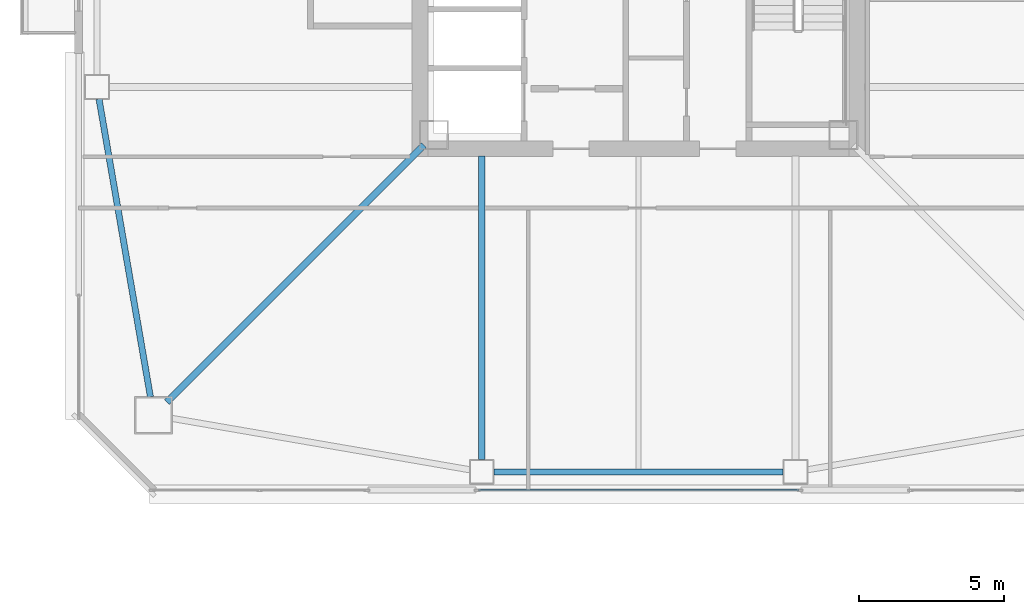
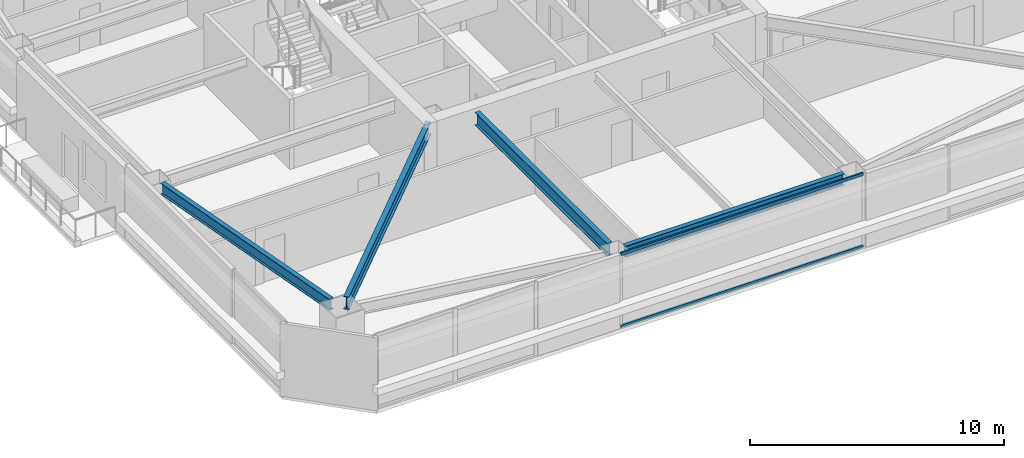
# One storey, part 4 of 46: 4 beams, 2 members, 1 element without a shape of its own.
"""IFC4 building model written with IfcOpenShell, lengths in metres."""

from ifc_helpers import new_model, si_unit, direction, frame, origin, origin_2d, place, context, subcontext, project, spatial, hollow_rectangle, i_section, extrude, material, material_profile, profile_set, type_object, element, aggregate, save


model = new_model("IFC4")

# Units and contexts
model_context = context("Model", 3, precision=1e-05, world=origin(), true_north=direction((0.0, 1.0)))
body_context = subcontext(model_context, "Body", "Model", "MODEL_VIEW")
ifc_project = project(units=[si_unit("LENGTHUNIT", "METRE"), si_unit("AREAUNIT", "SQUARE_METRE"), si_unit("VOLUMEUNIT", "CUBIC_METRE"), si_unit("PLANEANGLEUNIT", "RADIAN"), si_unit("MASSUNIT", "GRAM", prefix="KILO")], contexts=[model_context])

# Site, building, storey
site_placement = place(None, origin())
site = spatial("IfcSite", under=ifc_project, at=site_placement, CompositionType="ELEMENT")
building_placement = place(site_placement, origin())
building = spatial("IfcBuilding", under=site, at=building_placement, Name="Tashvorn Skyway Center", CompositionType="ELEMENT")
storey_placement = place(building_placement, frame((0.0, 0.0, 132.14990234375)))
storey = spatial("IfcBuildingStorey", under=building, at=storey_placement, Name="L35", CompositionType="ELEMENT", Elevation=132.14990234375)

# Beams
ifc_material_1 = material(Name="Steel ASTM A992 Grade 50", Category="steel")
ifc_material_profile_1 = material_profile(ifc_material_1, i_section(OverallWidth=0.22998046875, OverallDepth=0.616943359375, WebThickness=0.01318359375, FlangeThickness=0.022216796875, at=origin_2d()), Name="W24X94")
ifc_profile_set_1 = profile_set([ifc_material_profile_1], Name="Steel ASTM A992 Grade 50")
beam_type_1 = type_object("IfcBeamType", Name="BM-BEAM-W24X94", PredefinedType="BEAM", material=ifc_profile_set_1)
beam_1_placement = place(storey_placement, frame((25.756103515625, 15.756103515625, 3.0615234375), z_axis=(0.707106781187, 0.707106781187, 0.0), x_axis=(-0.707106781187, 0.707106781187, 0.0)))
element("IfcBeam", 1, at=beam_1_placement, inside=storey, type_object=beam_type_1, Name="Tower 1 L35 Primary Floor Girder MC-SW", PredefinedType="BEAM", context=body_context, shape_type="SweptSolid", body=[
    extrude(i_section(OverallWidth=0.22998046875, OverallDepth=0.616943359375, WebThickness=0.01318359375, FlangeThickness=0.022216796875, at=origin_2d()), origin(), (0.0, 0.0, 1.0), 12.50732421875),
])
beam_2_placement = place(storey_placement, frame((36.60009765625, 13.77001953125, 3.0615234375), z_axis=(0.0, 1.0, 0.0), x_axis=(-1.0, 0.0, 0.0)))
element("IfcBeam", 2, at=beam_2_placement, inside=storey, type_object=beam_type_1, Name="Tower 1 L35 Primary Floor Girder FC-S1", PredefinedType="BEAM", context=body_context, shape_type="SweptSolid", body=[
    extrude(i_section(OverallWidth=0.22998046875, OverallDepth=0.616943359375, WebThickness=0.01318359375, FlangeThickness=0.022216796875, at=origin_2d()), origin(), (0.0, 0.0, 1.0), 10.449951171875),
])
ifc_material_profile_2 = material_profile(ifc_material_1, i_section(OverallWidth=0.2109375, OverallDepth=0.5390625, WebThickness=0.01171875, FlangeThickness=0.018798828125, at=origin_2d()), Name="W21X73")
ifc_profile_set_2 = profile_set([ifc_material_profile_2], Name="Steel ASTM A992 Grade 50")
beam_type_2 = type_object("IfcBeamType", Name="BM-SPANDREL-W21X73", PredefinedType="SPANDREL", material=ifc_profile_set_2)
beam_3_placement = place(storey_placement, frame((37.02001953125, 13.35009765625, 3.1005859375), z_axis=(1.0, 0.0, 0.0), x_axis=(0.0, 1.0, 0.0)))
element("IfcBeam", 3, at=beam_3_placement, inside=storey, type_object=beam_type_2, Name="Tower 1 L35 Spandrel Beam 02", PredefinedType="SPANDREL", context=body_context, shape_type="SweptSolid", body=[
    extrude(i_section(OverallWidth=0.2109375, OverallDepth=0.5390625, WebThickness=0.01171875, FlangeThickness=0.018798828125, at=origin_2d()), origin(), (0.0, 0.0, 1.0), 9.9599609375),
])
beam_4_placement = place(storey_placement, frame((23.42138671875, 26.18603515625, 3.1005859375), z_axis=(0.170067250846, -0.985432458462, 0.0), x_axis=(0.985432458462, 0.170067250846, 0.0)))
element("IfcBeam", 4, at=beam_4_placement, inside=storey, type_object=beam_type_2, Name="Tower 1 L35 Spandrel Beam 12", PredefinedType="SPANDREL", context=body_context, shape_type="SweptSolid", body=[
    extrude(i_section(OverallWidth=0.2109375, OverallDepth=0.5390625, WebThickness=0.01171875, FlangeThickness=0.018798828125, at=origin_2d()), origin(), (0.0, 0.0, 1.0), 10.402099609375),
])

# Curtain wall, members
ifc_material_2 = material(Name="Thermally broken bronze-anodized aluminium 6063-T6", Category="aluminium")
curtain_wall_type = type_object("IfcCurtainWallType", Name="CW-CW-Z3", PredefinedType="NOTDEFINED", material=ifc_material_2)
curtain_wall_placement = place(storey_placement, origin())
curtain_wall = element("IfcCurtainWall", 5, at=curtain_wall_placement, inside=storey, type_object=curtain_wall_type, Name="Tower 1 L35 South Unitised Curtain Wall Glazing Group 2", PredefinedType="NOTDEFINED")
ifc_material_profile_3 = material_profile(ifc_material_2, hollow_rectangle(XDim=0.074951171875, YDim=0.139892578125, WallThickness=0.004150390625, at=origin_2d()), Name="ALU-TRAN-75x140")
ifc_profile_set_3 = profile_set([ifc_material_profile_3], Name="Thermally broken bronze-anodized aluminium 6063-T6")
member_type = type_object("IfcMemberType", Name="CWT-CW-Z3", PredefinedType="USERDEFINED", material=ifc_profile_set_3)
member_1_placement = place(storey_placement, frame((47.518310546875, 12.719970703125, 0.03759765625), z_axis=(-1.0, 0.0, 0.0), x_axis=(0.0, -1.0, 0.0)))
member_1 = element("IfcMember", 6, at=member_1_placement, type_object=member_type, Name="CW-Z3 transom 1.1", ObjectType="TRANSOM", PredefinedType="USERDEFINED", context=body_context, shape_type="SweptSolid", body=[
    extrude(hollow_rectangle(XDim=0.074951171875, YDim=0.139892578125, WallThickness=0.004150390625, at=origin_2d()), origin(), (0.0, 0.0, 1.0), 11.03662109375),
])
member_2_placement = place(storey_placement, frame((47.518310546875, 12.719970703125, 3.5126953125), z_axis=(-1.0, 0.0, 0.0), x_axis=(0.0, -1.0, 0.0)))
member_2 = element("IfcMember", 7, at=member_2_placement, type_object=member_type, Name="CW-Z3 transom 1.2", ObjectType="TRANSOM", PredefinedType="USERDEFINED", context=body_context, shape_type="SweptSolid", body=[
    extrude(hollow_rectangle(XDim=0.074951171875, YDim=0.139892578125, WallThickness=0.004150390625, at=origin_2d()), origin(), (0.0, 0.0, 1.0), 11.03662109375),
])
aggregate(curtain_wall, [member_1, member_2])

save(model, "model.ifc")
